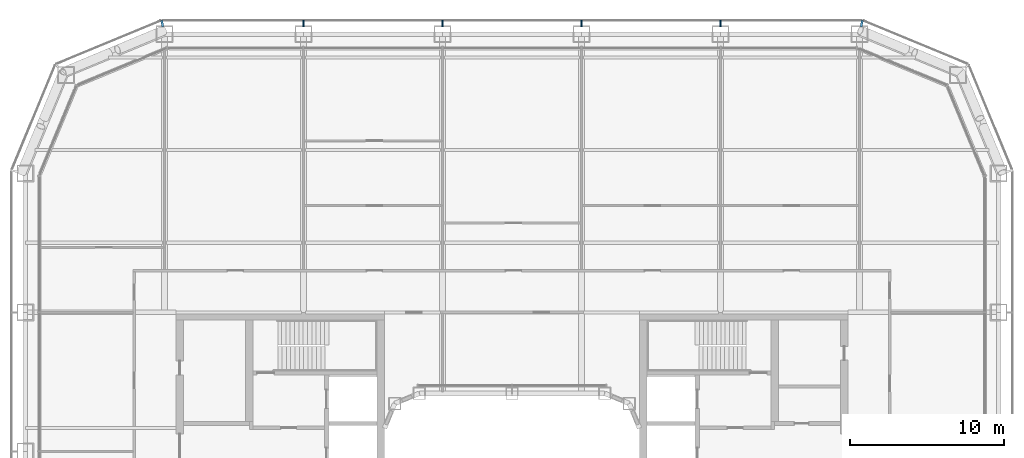
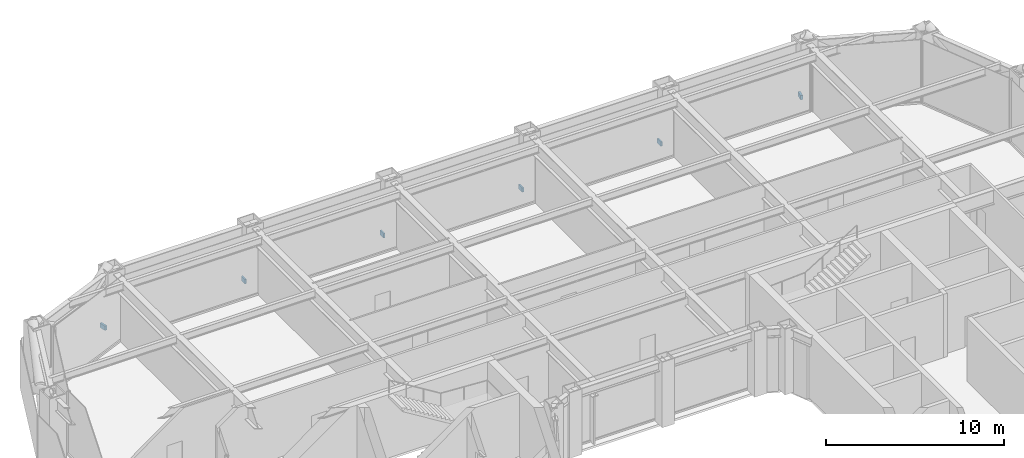
# One storey, part 22 of 27: 6 discrete accessories.
"""IFC4 building model written with IfcOpenShell, lengths in metres."""

from ifc_helpers import new_model, si_unit, direction, frame, origin, origin_2d, place, context, subcontext, project, spatial, rectangle, extrude, material, type_object, element, save


model = new_model("IFC4")

# Units and contexts
model_context = context("Model", 3, precision=1e-05, world=origin(), true_north=direction((0.0, 1.0)))
body_context = subcontext(model_context, "Body", "Model", "MODEL_VIEW")
ifc_project = project(units=[si_unit("LENGTHUNIT", "METRE"), si_unit("AREAUNIT", "SQUARE_METRE"), si_unit("VOLUMEUNIT", "CUBIC_METRE"), si_unit("PLANEANGLEUNIT", "RADIAN"), si_unit("MASSUNIT", "GRAM", prefix="KILO")], contexts=[model_context])

# Site, building, storey
site_placement = place(None, origin())
site = spatial("IfcSite", under=ifc_project, at=site_placement, CompositionType="ELEMENT")
building_placement = place(site_placement, origin())
building = spatial("IfcBuilding", under=site, at=building_placement, Name="Siwar Civic Tower", CompositionType="ELEMENT")
storey_placement = place(building_placement, frame((0.0, 0.0, 35.699951171875)))
storey = spatial("IfcBuildingStorey", under=building, at=storey_placement, Name="L07", CompositionType="ELEMENT", Elevation=35.699951171875)

# Discrete accessories
ifc_material = material(Name="Stainless steel 316", Category="steel")
discrete_accessory_type = type_object("IfcDiscreteAccessoryType", Name="ENV-BRACKET", PredefinedType="BRACKET", material=ifc_material)
for number, where, z_axis, x_axis, name in (
    (1, (13.5, 32.18994140625, -0.14990234375), (0.0, 0.0, 1.0), (0.0, 1.0, 0.0), "Bracket outer skin joint N-01"),
    (2, (4.5, 32.18994140625, -0.14990234375), (0.0, 0.0, 1.0), (0.0, 1.0, 0.0), "Bracket outer skin joint N-02"),
    (3, (-4.5, 32.18994140625, -0.14990234375), (0.0, 0.0, 1.0), (0.0, 1.0, 0.0), "Bracket outer skin joint N-03"),
    (4, (-13.5, 32.18994140625, -0.14990234375), (0.0, 0.0, 1.0), (0.0, 1.0, 0.0), "Bracket outer skin joint N-04"),
):
    element("IfcDiscreteAccessory", number, at=place(storey_placement, frame(where, z_axis=z_axis, x_axis=x_axis)), inside=storey, type_object=discrete_accessory_type, Name=name, PredefinedType="BRACKET", context=body_context, shape_type="SweptSolid", body=[
        extrude(rectangle(XDim=0.419921875, YDim=0.10009765625, at=origin_2d()), origin(), (0.0, 0.0, 1.0), 0.300048828125),
    ])
for number, where, z_axis, x_axis, name in (
    (5, (22.63720703125, 32.190185546875, -0.14990234375), (0.0, 0.0, 1.0), (0.195090322016, 0.980785280403, 0.0), "Bracket outer skin joint V06"),
    (6, (-22.63720703125, 32.190185546875, -0.14990234375), (0.0, 0.0, 1.0), (-0.195090322016, 0.980785280403, 0.0), "Bracket outer skin joint V07"),
):
    element("IfcDiscreteAccessory", number, at=place(storey_placement, frame(where, z_axis=z_axis, x_axis=x_axis)), inside=storey, type_object=discrete_accessory_type, Name=name, PredefinedType="BRACKET", context=body_context, shape_type="SweptSolid", body=[
        extrude(rectangle(XDim=0.427734375, YDim=0.13720703125, at=origin_2d()), origin(), (0.0, 0.0, 1.0), 0.300048828125),
    ])

save(model, "model.ifc")
